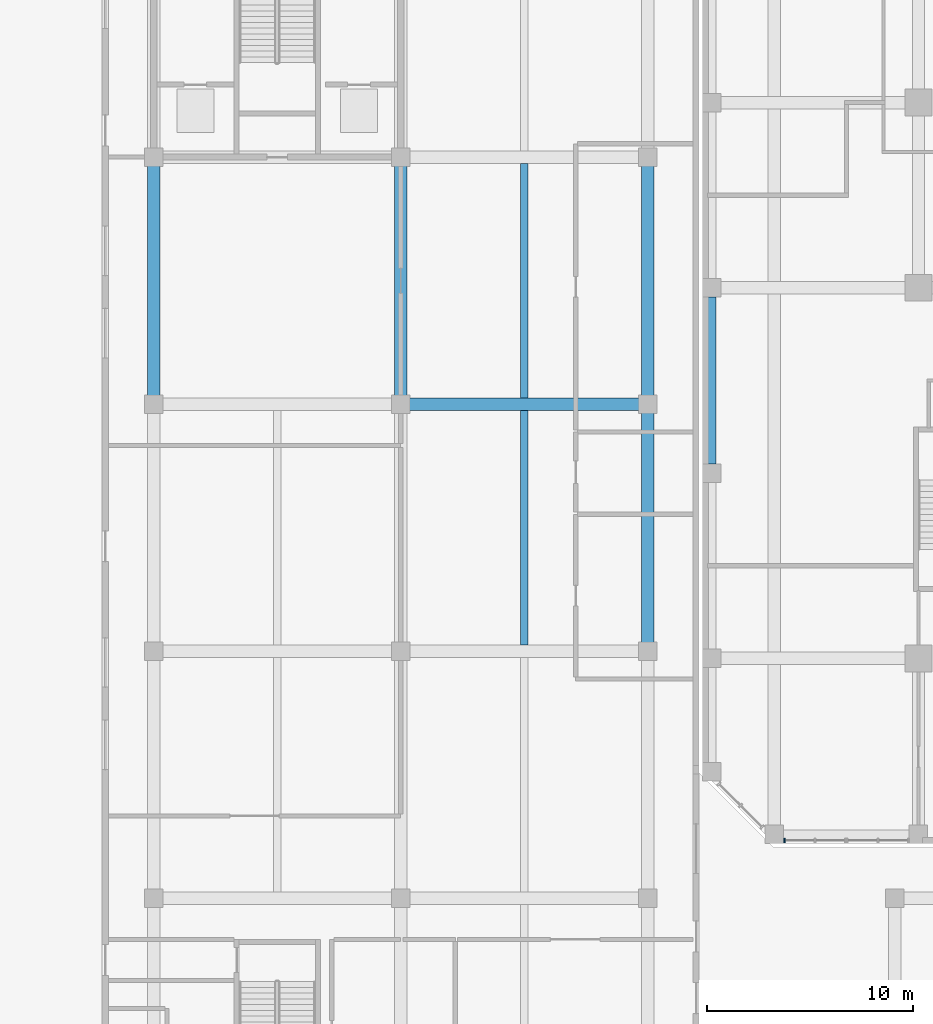
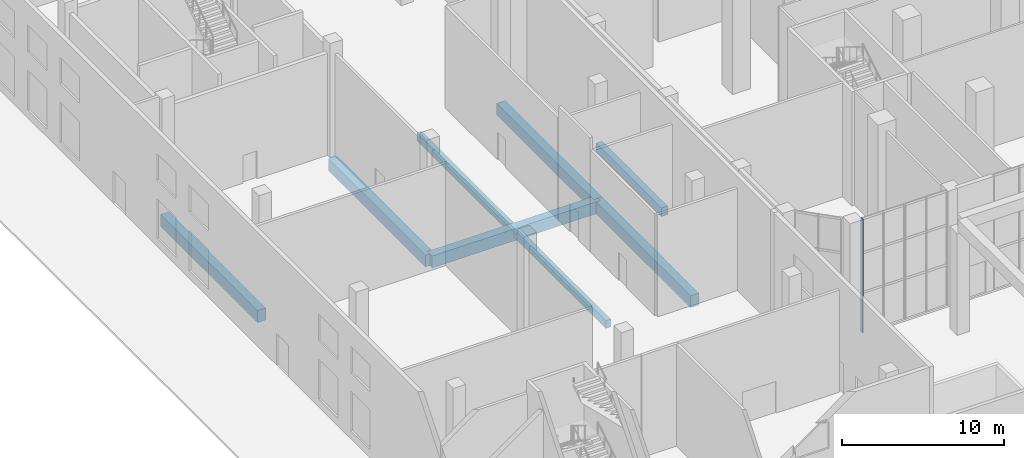
# One storey, part 4 of 43: 8 beams, 1 member, 1 element without a shape of its own.
"""IFC4 building model written with IfcOpenShell, lengths in metres."""

import ifcopenshell
import ifcopenshell.guid

model = None  # the IFC model being written
_history = None  # IfcOwnerHistory: only IFC2X3 demands one
_inside = {}  # id of a spatial element -> (the spatial element, [elements in it])
_under = {}  # id of a project, library or spatial element -> (it, [spatial elements below it])
_declared = {}  # id of a project -> (the project, [libraries it declares])
_typed = {}  # id of a type object -> (the type object, [elements of that type])
_made_of = {}  # id of a material, layer set ... -> (it, [elements and type objects made of it])


def new_model(schema):
    """Start an empty IFC model of exactly this schema.

    Asked for "IFC4X3", IfcOpenShell would pick the latest addendum, in which some entities
    have other attributes; the version numbers below select the first issue.
    IFC2X3 requires an IfcOwnerHistory on every rooted entity: one is made here for all.
    """
    global model, _history
    if schema == "IFC4X3":
        model = ifcopenshell.file(schema_version=(4, 3, 0, 0))
    else:
        model = ifcopenshell.file(schema=schema)
    _inside.clear()
    _under.clear()
    _declared.clear()
    _typed.clear()
    _made_of.clear()
    _history = None
    if model.schema == "IFC2X3":
        org = make("IfcOrganization", Name="unknown")
        user = make(
            "IfcPersonAndOrganization",
            ThePerson=make("IfcPerson", FamilyName="unknown"),
            TheOrganization=org,
        )
        app = make(
            "IfcApplication",
            ApplicationDeveloper=org,
            Version="unknown",
            ApplicationFullName="unknown",
            ApplicationIdentifier="unknown",
        )
        _history = make(
            "IfcOwnerHistory",
            OwningUser=user,
            OwningApplication=app,
            ChangeAction="ADDED",
            CreationDate=0,
        )
    return model


def make(cls, **values):
    """One entity of the class cls with the attributes given. An attribute that is None is left unset."""
    return model.create_entity(
        cls, **{name: value for name, value in values.items() if value is not None}
    )


def rooted(cls, **values):
    """An entity with a GlobalId (a new one), such as an element, a storey or a relation."""
    return make(cls, GlobalId=ifcopenshell.guid.new(), OwnerHistory=_history, **values)


def si_unit(unit_type, name, prefix=None):
    """IfcSIUnit, for example si_unit("LENGTHUNIT", "METRE", prefix="MILLI")."""
    return make("IfcSIUnit", UnitType=unit_type, Prefix=prefix, Name=name)


def assignment(units):
    """IfcUnitAssignment: the units of a project."""
    return None if units is None else make("IfcUnitAssignment", Units=units)


def point(xyz):
    """IfcCartesianPoint."""
    return None if xyz is None else make("IfcCartesianPoint", Coordinates=xyz)


def direction(xyz):
    """IfcDirection."""
    return None if xyz is None else make("IfcDirection", DirectionRatios=xyz)


def frame(location, z_axis=None, x_axis=None):
    """IfcAxis2Placement3D, a coordinate frame: its origin and axes. An axis left out is left unset."""
    return make(
        "IfcAxis2Placement3D",
        Location=point(location),
        Axis=direction(z_axis),
        RefDirection=direction(x_axis),
    )


def frame_2d(location, x_axis=None):
    """IfcAxis2Placement2D, a coordinate frame in the plane: its origin and x axis."""
    return make(
        "IfcAxis2Placement2D", Location=point(location), RefDirection=direction(x_axis)
    )


def origin():
    """The frame at (0, 0, 0) with its axes left unset."""
    return frame((0.0, 0.0, 0.0))


def origin_2d():
    """The frame at (0, 0) in the plane with its x axis left unset."""
    return frame_2d((0.0, 0.0))


def place(relative_to, where):
    """IfcLocalPlacement: puts the frame where relative to a parent placement (None: the world)."""
    return make(
        "IfcLocalPlacement", PlacementRelTo=relative_to, RelativePlacement=where
    )


def context(
    kind, dimensions, precision=None, world=None, true_north=None, identifier=None
):
    """IfcGeometricRepresentationContext, for example the 3D "Model" context."""
    return make(
        "IfcGeometricRepresentationContext",
        ContextIdentifier=identifier,
        ContextType=kind,
        CoordinateSpaceDimension=dimensions,
        Precision=precision,
        WorldCoordinateSystem=world,
        TrueNorth=true_north,
    )


def subcontext(parent, identifier, kind, view, scale=None):
    """IfcGeometricRepresentationSubContext, for example "Body" below "Model"."""
    return make(
        "IfcGeometricRepresentationSubContext",
        ContextIdentifier=identifier,
        ContextType=kind,
        ParentContext=parent,
        TargetScale=scale,
        TargetView=view,
    )


def project(units=None, contexts=None):
    """IfcProject with its units and contexts."""
    return rooted(
        "IfcProject",
        Name="project",
        RepresentationContexts=contexts,
        UnitsInContext=assignment(units),
    )


def spatial(cls, under=None, at=None, **own):
    """A site, building, storey or space (cls), placed at a placement, below another one or the project."""
    s = rooted(cls, ObjectPlacement=at, **own)
    if under is not None:
        _under.setdefault(under.id(), (under, []))[1].append(s)
    return s


def profile(cls, at=None, kind="AREA", **sizes):
    """A parametric profile (cls). Its sizes go by their IFC names, for example OverallWidth=200.0."""
    return make(cls, ProfileType=kind, Position=at, **sizes)


def rectangle(**sizes):
    """IfcRectangleProfileDef."""
    return profile("IfcRectangleProfileDef", **sizes)


def extrude(swept, where, along, depth):
    """IfcExtrudedAreaSolid: the profile swept, set in the frame where, extruded along a direction by depth."""
    return make(
        "IfcExtrudedAreaSolid",
        SweptArea=swept,
        Position=where,
        ExtrudedDirection=direction(along),
        Depth=depth,
    )


def shape(context_of_items, identifier, shape_type, items):
    """IfcShapeRepresentation: the items that make up one representation, for example the "Body"."""
    return make(
        "IfcShapeRepresentation",
        ContextOfItems=context_of_items,
        RepresentationIdentifier=identifier,
        RepresentationType=shape_type,
        Items=items,
    )


def source(mapping_origin, context_of_items, identifier, shape_type, items):
    """IfcRepresentationMap: a shape defined once, which mapped items show again and again."""
    return make(
        "IfcRepresentationMap",
        MappingOrigin=mapping_origin,
        MappedRepresentation=shape(context_of_items, identifier, shape_type, items),
    )


def transform(
    local_origin,
    x_axis=None,
    y_axis=None,
    z_axis=None,
    scale=None,
    scale2=None,
    scale3=None,
    uniform=True,
):
    """IfcCartesianTransformationOperator3D, or its non-uniform kind. x_axis, y_axis, z_axis: its Axis1, 2, 3."""
    if uniform:
        return make(
            "IfcCartesianTransformationOperator3D",
            Axis1=direction(x_axis),
            Axis2=direction(y_axis),
            LocalOrigin=point(local_origin),
            Scale=scale,
            Axis3=direction(z_axis),
        )
    return make(
        "IfcCartesianTransformationOperator3DnonUniform",
        Axis1=direction(x_axis),
        Axis2=direction(y_axis),
        LocalOrigin=point(local_origin),
        Scale=scale,
        Axis3=direction(z_axis),
        Scale2=scale2,
        Scale3=scale3,
    )


def mapped(mapping_source, mapping_target):
    """IfcMappedItem: shows the shape of a source again, moved by a transform."""
    return make(
        "IfcMappedItem", MappingSource=mapping_source, MappingTarget=mapping_target
    )


def material(Name=None, Category=None):
    """IfcMaterial."""
    return make("IfcMaterial", Name=Name, Category=Category)


def material_profile(
    of_material, cross_section, Name=None, Category=None, Priority=None
):
    """IfcMaterialProfile: a cross section and its material."""
    return make(
        "IfcMaterialProfile",
        Name=Name,
        Material=of_material,
        Profile=cross_section,
        Priority=Priority,
        Category=Category,
    )


def profile_set(profiles, Name=None, composite=None):
    """IfcMaterialProfileSet."""
    return make(
        "IfcMaterialProfileSet",
        Name=Name,
        MaterialProfiles=profiles,
        CompositeProfile=composite,
    )


def made_of(thing, what):
    """Note that an element or type object is made of a material, layer set ...; save() writes the relation."""
    if what is not None:
        _made_of.setdefault(what.id(), (what, []))[1].append(thing)
    return thing


def type_object(cls, material=None, **own):
    """A type object (cls), such as IfcWallType, which elements share."""
    return made_of(rooted(cls, **own), material)


def element(
    cls,
    number,
    at=None,
    inside=None,
    cuts=None,
    type_object=None,
    material=None,
    context=None,
    identifier="Body",
    shape_type=None,
    held_by="IfcProductDefinitionShape",
    body=None,
    shapes=None,
    **own,
):
    """One element of the class cls, such as IfcWall. Its Tag is "e" and its number.

    at: its placement. inside: the storey or other place that contains it. cuts: it is an
    opening in that element (IfcRelVoidsElement). A single representation is given by context,
    identifier, shape_type and body (its items); several are given by shapes. held_by: the class
    of the entity that holds the representations. save() writes the other relations.
    """
    e = rooted(cls, Tag="e%d" % number, ObjectPlacement=at, **own)
    if body is not None:
        shapes = [shape(context, identifier, shape_type, body)]
    if shapes is not None:
        e.Representation = make(held_by, Representations=shapes)
    if inside is not None:
        _inside.setdefault(inside.id(), (inside, []))[1].append(e)
    if cuts is not None:
        rooted(
            "IfcRelVoidsElement", RelatingBuildingElement=cuts, RelatedOpeningElement=e
        )
    if type_object is not None:
        _typed.setdefault(type_object.id(), (type_object, []))[1].append(e)
    return made_of(e, material)


def aggregate(whole, parts):
    """IfcRelAggregates: a whole, such as a stair, and the parts it consists of."""
    return rooted("IfcRelAggregates", RelatingObject=whole, RelatedObjects=parts)


def save(model, path):
    """Write the relations noted so far, then the file.

    IfcRelAggregates (storeys below a building ...), IfcRelContainedInSpatialStructure (elements
    in a storey), IfcRelDefinesByType, IfcRelAssociatesMaterial and IfcRelDeclares: one each for
    every whole, place, type object, material and project.
    """
    for whole, parts in _under.values():
        aggregate(whole, parts)
    for where, things in _inside.values():
        rooted(
            "IfcRelContainedInSpatialStructure",
            RelatedElements=things,
            RelatingStructure=where,
        )
    for kind, things in _typed.values():
        rooted("IfcRelDefinesByType", RelatedObjects=things, RelatingType=kind)
    for what, things in _made_of.values():
        rooted("IfcRelAssociatesMaterial", RelatedObjects=things, RelatingMaterial=what)
    for by, libraries in _declared.values():
        rooted("IfcRelDeclares", RelatingContext=by, RelatedDefinitions=libraries)
    model.write(path)


model = new_model("IFC4")

# Units and contexts
model_context = context("Model", 3, precision=1e-05, world=origin(), true_north=direction((0.0, 1.0)))
body_context = subcontext(model_context, "Body", "Model", "MODEL_VIEW")
ifc_project = project(units=[si_unit("LENGTHUNIT", "METRE"), si_unit("AREAUNIT", "SQUARE_METRE"), si_unit("VOLUMEUNIT", "CUBIC_METRE"), si_unit("PLANEANGLEUNIT", "RADIAN"), si_unit("MASSUNIT", "GRAM", prefix="KILO")], contexts=[model_context])

# Site, building, storey
site_placement = place(None, origin())
site = spatial("IfcSite", under=ifc_project, at=site_placement, CompositionType="ELEMENT")
building_placement = place(site_placement, origin())
building = spatial("IfcBuilding", under=site, at=building_placement, Name="Kilnfold Tower and Market Hall", CompositionType="ELEMENT")
storey_placement = place(building_placement, origin())
storey = spatial("IfcBuildingStorey", under=building, at=storey_placement, Name="L00", CompositionType="ELEMENT", Elevation=0.0)

# Beams
ifc_material_1 = material(Name="Concrete C40/50", Category="concrete")
ifc_material_profile_1 = material_profile(ifc_material_1, rectangle(XDim=0.60009765625, YDim=0.89990234375, at=origin_2d()), Name="RC 600x900")
ifc_profile_set_1 = profile_set([ifc_material_profile_1], Name="Concrete C40/50")
beam_type_1 = type_object("IfcBeamType", Name="HALL GIRDER 600X900", PredefinedType="BEAM", material=ifc_profile_set_1)
for number, where, z_axis, x_axis, name in (
    (1, (-54.64990234375, -6.64990234375, -0.860107421875), (0.0, 1.0, 0.0), (-1.0, 0.0, 0.0), "Beam MG1.7"),
    (2, (-42.64990234375, -6.64990234375, -0.860107421875), (0.0, 1.0, 0.0), (-1.0, 0.0, 0.0), "Beam MG1.24"),
    (3, (-42.64990234375, -6.64990234375, -0.860107421875), (1.0, 0.0, 0.0), (0.0, 1.0, 0.0), "Beam MG1.25"),
    (4, (-30.64990234375, -18.64990234375, -0.860107421875), (0.0, 1.0, 0.0), (-1.0, 0.0, 0.0), "Beam MG1.37"),
    (5, (-30.64990234375, -6.64990234375, -0.860107421875), (0.0, 1.0, 0.0), (-1.0, 0.0, 0.0), "Beam MG1.38"),
):
    element("IfcBeam", number, at=place(storey_placement, frame(where, z_axis=z_axis, x_axis=x_axis)), inside=storey, type_object=beam_type_1, Name=name, PredefinedType="BEAM", context=body_context, shape_type="SweptSolid", body=[
        extrude(rectangle(XDim=0.60009765625, YDim=0.89990234375, at=origin_2d()), origin(), (0.0, 0.0, 1.0), 12.0),
    ])
ifc_material_2 = material(Name="Concrete C40/50", Category="concrete")
ifc_material_profile_2 = material_profile(ifc_material_2, rectangle(XDim=0.35009765625, YDim=0.60009765625, at=origin_2d()), Name="RC 350x600")
ifc_profile_set_2 = profile_set([ifc_material_profile_2], Name="Concrete C40/50")
beam_type_2 = type_object("IfcBeamType", Name="HALL JOIST 350X600", PredefinedType="BEAM", material=ifc_profile_set_2)
for number, where, z_axis, x_axis, name in (
    (6, (-36.64990234375, -18.35009765625, -0.7099609375), (0.0, 1.0, 0.0), (-1.0, 0.0, 0.0), "Beam MJ1.5"),
    (7, (-36.64990234375, -6.35009765625, -0.7099609375), (0.0, 1.0, 0.0), (-1.0, 0.0, 0.0), "Beam MJ1.6"),
):
    element("IfcBeam", number, at=place(storey_placement, frame(where, z_axis=z_axis, x_axis=x_axis)), inside=storey, type_object=beam_type_2, Name=name, PredefinedType="BEAM", context=body_context, shape_type="SweptSolid", body=[
        extrude(rectangle(XDim=0.35009765625, YDim=0.60009765625, at=origin_2d()), origin(), (0.0, 0.0, 1.0), 11.400146484375),
    ])
ifc_material_3 = material(Name="Concrete C45", Category="concrete")
ifc_material_profile_3 = material_profile(ifc_material_3, rectangle(XDim=0.449951171875, YDim=0.64990234375, at=origin_2d()), Name="RC 450x650")
ifc_profile_set_3 = profile_set([ifc_material_profile_3], Name="Concrete C45")
beam_type_3 = type_object("IfcBeamType", Name="EDGE BEAM 450X650 C45", PredefinedType="BEAM", material=ifc_profile_set_3)
shared_shape_1 = source(origin(), body_context, "Body", "SweptSolid", [
    extrude(rectangle(XDim=0.449951171875, YDim=0.64990234375, at=origin_2d()), origin(), (0.0, 0.0, 1.0), 8.10009765625),
])
beam_placement = place(storey_placement, frame((-27.550048828125, -9.550048828125, -0.735107421875), z_axis=(0.0, 1.0, 0.0), x_axis=(-1.0, 0.0, 0.0)))
element("IfcBeam", 8, at=beam_placement, inside=storey, type_object=beam_type_3, Name="Beam EB650-B1.32", PredefinedType="BEAM", context=body_context, shape_type="MappedRepresentation", body=[
    mapped(shared_shape_1, transform((0.0, 0.0, 0.0))),
])

# Curtain wall, member
ifc_material_4 = material(Name="Aluminium and double glazing", Category="aluminium")
curtain_wall_type = type_object("IfcCurtainWallType", Name="CW BASE PODIUM GLAZING", PredefinedType="NOTDEFINED", material=ifc_material_4)
curtain_wall_placement = place(storey_placement, origin())
curtain_wall = element("IfcCurtainWall", 9, at=curtain_wall_placement, inside=storey, type_object=curtain_wall_type, Name="Curtain wall CW4 L00 S", PredefinedType="NOTDEFINED")
ifc_material_5 = material(Name="Aluminium", Category="aluminium")
ifc_material_profile_4 = material_profile(ifc_material_5, rectangle(XDim=0.070068359375, YDim=0.219970703125, at=origin_2d()), Name="MULLION 70x220")
ifc_profile_set_4 = profile_set([ifc_material_profile_4], Name="Aluminium")
member_type = type_object("IfcMemberType", Name="MULLION 70X220", PredefinedType="MULLION", material=ifc_profile_set_4)
shared_shape_2 = source(origin(), body_context, "Body", "SweptSolid", [
    extrude(rectangle(XDim=0.070068359375, YDim=0.219970703125, at=origin_2d()), origin(), (0.0, 0.0, 1.0), 8.60009765625),
])
member_placement = place(storey_placement, frame((-24.014892578125, -27.85009765625, 0.0), z_axis=(0.0, 0.0, 1.0), x_axis=(1.0, 0.0, 0.0)))
member = element("IfcMember", 10, at=member_placement, type_object=member_type, Name="CW4 mullion 1", PredefinedType="MULLION", context=body_context, shape_type="MappedRepresentation", body=[
    mapped(shared_shape_2, transform((0.0, 0.0, 0.0))),
])
aggregate(curtain_wall, [member])

save(model, "model.ifc")
